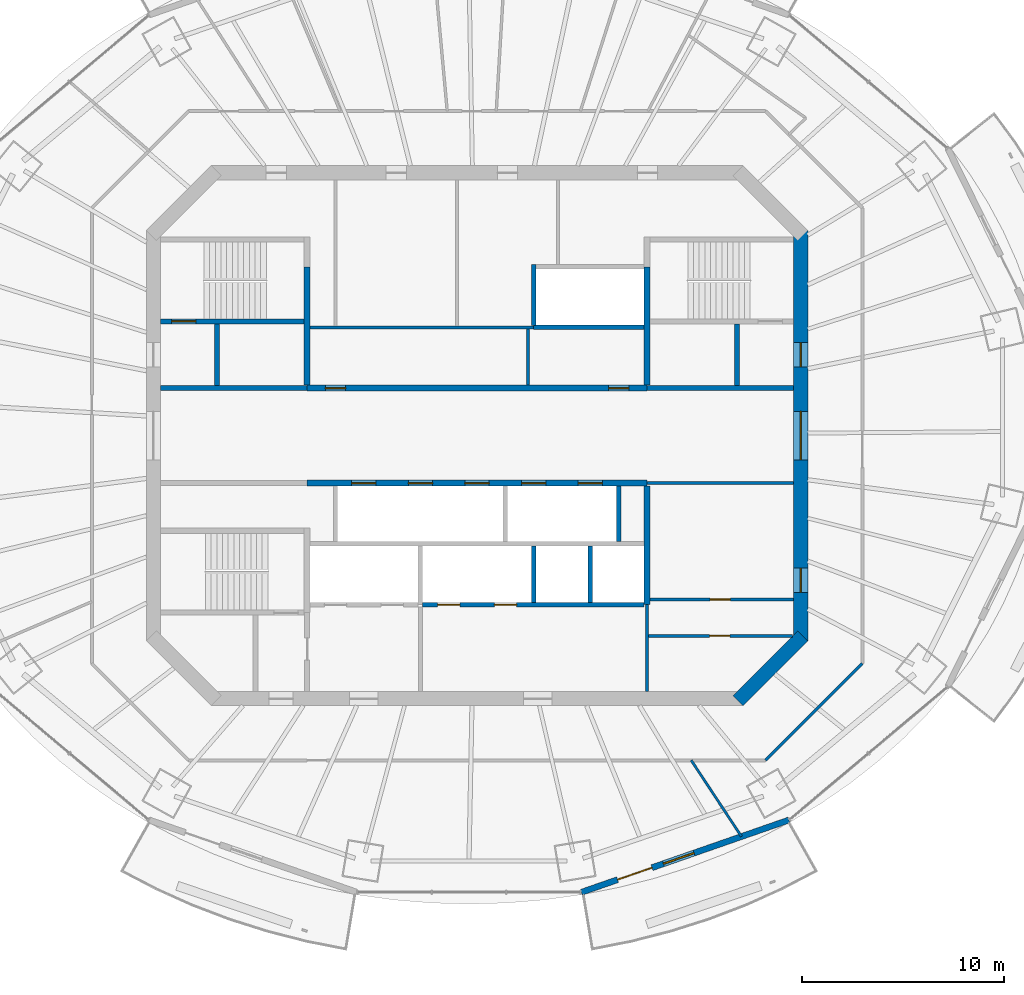
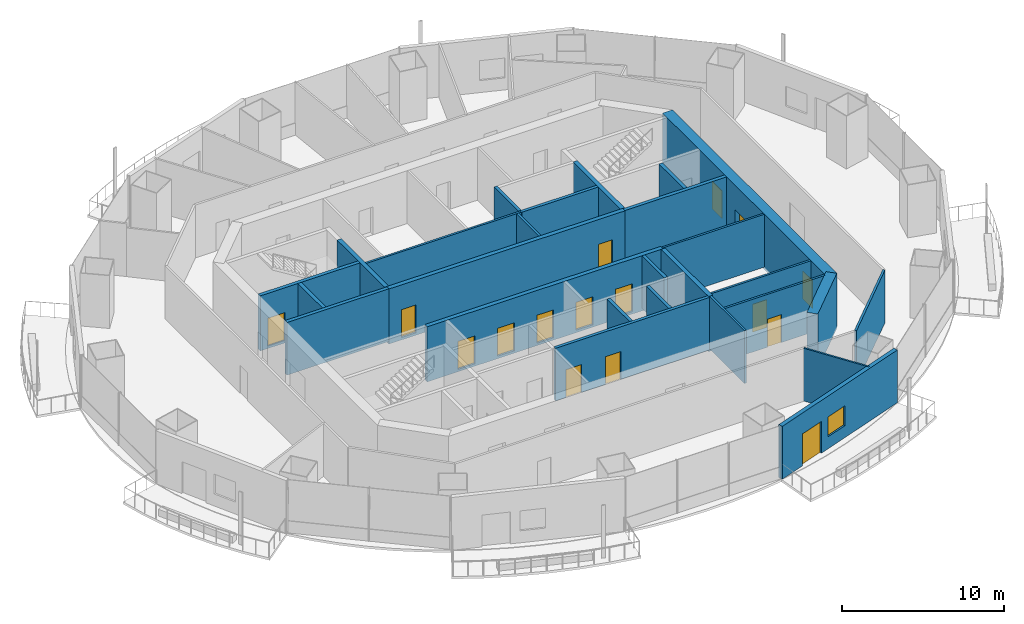
# One storey, part 9 of 16: 27 walls, 16 doors, 1 window, 17 openings.
"""IFC4 building model written with IfcOpenShell, lengths in metres."""

import ifcopenshell
import ifcopenshell.guid

model = None  # the IFC model being written
_history = None  # IfcOwnerHistory: only IFC2X3 demands one
_inside = {}  # id of a spatial element -> (the spatial element, [elements in it])
_under = {}  # id of a project, library or spatial element -> (it, [spatial elements below it])
_declared = {}  # id of a project -> (the project, [libraries it declares])
_typed = {}  # id of a type object -> (the type object, [elements of that type])
_made_of = {}  # id of a material, layer set ... -> (it, [elements and type objects made of it])


def new_model(schema):
    """Start an empty IFC model of exactly this schema.

    Asked for "IFC4X3", IfcOpenShell would pick the latest addendum, in which some entities
    have other attributes; the version numbers below select the first issue.
    IFC2X3 requires an IfcOwnerHistory on every rooted entity: one is made here for all.
    """
    global model, _history
    if schema == "IFC4X3":
        model = ifcopenshell.file(schema_version=(4, 3, 0, 0))
    else:
        model = ifcopenshell.file(schema=schema)
    _inside.clear()
    _under.clear()
    _declared.clear()
    _typed.clear()
    _made_of.clear()
    _history = None
    if model.schema == "IFC2X3":
        org = make("IfcOrganization", Name="unknown")
        user = make(
            "IfcPersonAndOrganization",
            ThePerson=make("IfcPerson", FamilyName="unknown"),
            TheOrganization=org,
        )
        app = make(
            "IfcApplication",
            ApplicationDeveloper=org,
            Version="unknown",
            ApplicationFullName="unknown",
            ApplicationIdentifier="unknown",
        )
        _history = make(
            "IfcOwnerHistory",
            OwningUser=user,
            OwningApplication=app,
            ChangeAction="ADDED",
            CreationDate=0,
        )
    return model


def make(cls, **values):
    """One entity of the class cls with the attributes given. An attribute that is None is left unset."""
    return model.create_entity(
        cls, **{name: value for name, value in values.items() if value is not None}
    )


def rooted(cls, **values):
    """An entity with a GlobalId (a new one), such as an element, a storey or a relation."""
    return make(cls, GlobalId=ifcopenshell.guid.new(), OwnerHistory=_history, **values)


def si_unit(unit_type, name, prefix=None):
    """IfcSIUnit, for example si_unit("LENGTHUNIT", "METRE", prefix="MILLI")."""
    return make("IfcSIUnit", UnitType=unit_type, Prefix=prefix, Name=name)


def assignment(units):
    """IfcUnitAssignment: the units of a project."""
    return None if units is None else make("IfcUnitAssignment", Units=units)


def point(xyz):
    """IfcCartesianPoint."""
    return None if xyz is None else make("IfcCartesianPoint", Coordinates=xyz)


def direction(xyz):
    """IfcDirection."""
    return None if xyz is None else make("IfcDirection", DirectionRatios=xyz)


def frame(location, z_axis=None, x_axis=None):
    """IfcAxis2Placement3D, a coordinate frame: its origin and axes. An axis left out is left unset."""
    return make(
        "IfcAxis2Placement3D",
        Location=point(location),
        Axis=direction(z_axis),
        RefDirection=direction(x_axis),
    )


def frame_2d(location, x_axis=None):
    """IfcAxis2Placement2D, a coordinate frame in the plane: its origin and x axis."""
    return make(
        "IfcAxis2Placement2D", Location=point(location), RefDirection=direction(x_axis)
    )


def origin():
    """The frame at (0, 0, 0) with its axes left unset."""
    return frame((0.0, 0.0, 0.0))


def place(relative_to, where):
    """IfcLocalPlacement: puts the frame where relative to a parent placement (None: the world)."""
    return make(
        "IfcLocalPlacement", PlacementRelTo=relative_to, RelativePlacement=where
    )


def context(
    kind, dimensions, precision=None, world=None, true_north=None, identifier=None
):
    """IfcGeometricRepresentationContext, for example the 3D "Model" context."""
    return make(
        "IfcGeometricRepresentationContext",
        ContextIdentifier=identifier,
        ContextType=kind,
        CoordinateSpaceDimension=dimensions,
        Precision=precision,
        WorldCoordinateSystem=world,
        TrueNorth=true_north,
    )


def subcontext(parent, identifier, kind, view, scale=None):
    """IfcGeometricRepresentationSubContext, for example "Body" below "Model"."""
    return make(
        "IfcGeometricRepresentationSubContext",
        ContextIdentifier=identifier,
        ContextType=kind,
        ParentContext=parent,
        TargetScale=scale,
        TargetView=view,
    )


def project(units=None, contexts=None):
    """IfcProject with its units and contexts."""
    return rooted(
        "IfcProject",
        Name="project",
        RepresentationContexts=contexts,
        UnitsInContext=assignment(units),
    )


def spatial(cls, under=None, at=None, **own):
    """A site, building, storey or space (cls), placed at a placement, below another one or the project."""
    s = rooted(cls, ObjectPlacement=at, **own)
    if under is not None:
        _under.setdefault(under.id(), (under, []))[1].append(s)
    return s


def profile(cls, at=None, kind="AREA", **sizes):
    """A parametric profile (cls). Its sizes go by their IFC names, for example OverallWidth=200.0."""
    return make(cls, ProfileType=kind, Position=at, **sizes)


def rectangle(**sizes):
    """IfcRectangleProfileDef."""
    return profile("IfcRectangleProfileDef", **sizes)


def extrude(swept, where, along, depth):
    """IfcExtrudedAreaSolid: the profile swept, set in the frame where, extruded along a direction by depth."""
    return make(
        "IfcExtrudedAreaSolid",
        SweptArea=swept,
        Position=where,
        ExtrudedDirection=direction(along),
        Depth=depth,
    )


def shape(context_of_items, identifier, shape_type, items):
    """IfcShapeRepresentation: the items that make up one representation, for example the "Body"."""
    return make(
        "IfcShapeRepresentation",
        ContextOfItems=context_of_items,
        RepresentationIdentifier=identifier,
        RepresentationType=shape_type,
        Items=items,
    )


def material(Name=None, Category=None):
    """IfcMaterial."""
    return make("IfcMaterial", Name=Name, Category=Category)


def layer(
    of_material, thickness, ventilated=None, Name=None, Category=None, Priority=None
):
    """IfcMaterialLayer: one layer of a wall or slab, of a material (None: an air gap)."""
    return make(
        "IfcMaterialLayer",
        Material=of_material,
        LayerThickness=thickness,
        IsVentilated=ventilated,
        Name=Name,
        Category=Category,
        Priority=Priority,
    )


def layer_set(layers, Name=None):
    """IfcMaterialLayerSet."""
    return make("IfcMaterialLayerSet", MaterialLayers=layers, LayerSetName=Name)


def made_of(thing, what):
    """Note that an element or type object is made of a material, layer set ...; save() writes the relation."""
    if what is not None:
        _made_of.setdefault(what.id(), (what, []))[1].append(thing)
    return thing


def type_object(cls, material=None, **own):
    """A type object (cls), such as IfcWallType, which elements share."""
    return made_of(rooted(cls, **own), material)


def element(
    cls,
    number,
    at=None,
    inside=None,
    cuts=None,
    type_object=None,
    material=None,
    context=None,
    identifier="Body",
    shape_type=None,
    held_by="IfcProductDefinitionShape",
    body=None,
    shapes=None,
    **own,
):
    """One element of the class cls, such as IfcWall. Its Tag is "e" and its number.

    at: its placement. inside: the storey or other place that contains it. cuts: it is an
    opening in that element (IfcRelVoidsElement). A single representation is given by context,
    identifier, shape_type and body (its items); several are given by shapes. held_by: the class
    of the entity that holds the representations. save() writes the other relations.
    """
    e = rooted(cls, Tag="e%d" % number, ObjectPlacement=at, **own)
    if body is not None:
        shapes = [shape(context, identifier, shape_type, body)]
    if shapes is not None:
        e.Representation = make(held_by, Representations=shapes)
    if inside is not None:
        _inside.setdefault(inside.id(), (inside, []))[1].append(e)
    if cuts is not None:
        rooted(
            "IfcRelVoidsElement", RelatingBuildingElement=cuts, RelatedOpeningElement=e
        )
    if type_object is not None:
        _typed.setdefault(type_object.id(), (type_object, []))[1].append(e)
    return made_of(e, material)


def fill(opening, filler):
    """IfcRelFillsElement: the door or window that sits in an opening."""
    return rooted(
        "IfcRelFillsElement",
        RelatingOpeningElement=opening,
        RelatedBuildingElement=filler,
    )


def aggregate(whole, parts):
    """IfcRelAggregates: a whole, such as a stair, and the parts it consists of."""
    return rooted("IfcRelAggregates", RelatingObject=whole, RelatedObjects=parts)


def save(model, path):
    """Write the relations noted so far, then the file.

    IfcRelAggregates (storeys below a building ...), IfcRelContainedInSpatialStructure (elements
    in a storey), IfcRelDefinesByType, IfcRelAssociatesMaterial and IfcRelDeclares: one each for
    every whole, place, type object, material and project.
    """
    for whole, parts in _under.values():
        aggregate(whole, parts)
    for where, things in _inside.values():
        rooted(
            "IfcRelContainedInSpatialStructure",
            RelatedElements=things,
            RelatingStructure=where,
        )
    for kind, things in _typed.values():
        rooted("IfcRelDefinesByType", RelatedObjects=things, RelatingType=kind)
    for what, things in _made_of.values():
        rooted("IfcRelAssociatesMaterial", RelatedObjects=things, RelatingMaterial=what)
    for by, libraries in _declared.values():
        rooted("IfcRelDeclares", RelatingContext=by, RelatedDefinitions=libraries)
    model.write(path)


model = new_model("IFC4")

# Units and contexts
model_context = context("Model", 3, precision=1e-05, world=origin(), true_north=direction((0.0, 1.0)))
body_context = subcontext(model_context, "Body", "Model", "MODEL_VIEW")
ifc_project = project(units=[si_unit("LENGTHUNIT", "METRE"), si_unit("AREAUNIT", "SQUARE_METRE"), si_unit("VOLUMEUNIT", "CUBIC_METRE"), si_unit("PLANEANGLEUNIT", "RADIAN"), si_unit("MASSUNIT", "GRAM", prefix="KILO")], contexts=[model_context])

# Site, building, storey
site_placement = place(None, origin())
site = spatial("IfcSite", under=ifc_project, at=site_placement, CompositionType="ELEMENT")
building_placement = place(site_placement, origin())
building = spatial("IfcBuilding", under=site, at=building_placement, Name="Marenthal Gate Tower", CompositionType="ELEMENT")
storey_placement = place(building_placement, frame((0.0, 0.0, 296.949951171875)))
storey = spatial("IfcBuildingStorey", under=building, at=storey_placement, Name="L66", CompositionType="ELEMENT", Elevation=296.949951171875)

# Wall
ifc_material_1 = material(Name="Concrete 60 MPa", Category="concrete")
ifc_layer_1 = layer(ifc_material_1, 0.699951171875)
ifc_layer_set_1 = layer_set([ifc_layer_1], Name="Core shear wall 700")
wall_type_1 = type_object("IfcWallType", Name="Core shear wall 700", PredefinedType="SHEAR", material=ifc_layer_set_1)
wall_1_placement = place(storey_placement, frame((12.8974609375, -13.1025390625, -0.179931640625), z_axis=(0.0, 0.0, 1.0), x_axis=(0.707106781187, 0.707106781187, 0.0)))
element("IfcWall", 1, at=wall_1_placement, inside=storey, type_object=wall_type_1, Name="Core wall 01", PredefinedType="SHEAR", context=body_context, shape_type="SweptSolid", body=[
    extrude(rectangle(XDim=4.53271484375, YDim=0.699951171875, at=frame_2d((2.266357421875, 0.0))), origin(), (0.0, 0.0, 1.0), 4.14990234375),
])

# Wall, openings, doors
wall_2_placement = place(storey_placement, frame((16.0, -10.14501953125, -0.179931640625), z_axis=(0.0, 0.0, 1.0), x_axis=(0.0, 1.0, 0.0)))
wall_2 = element("IfcWall", 2, at=wall_2_placement, inside=storey, type_object=wall_type_1, Name="Core wall 02", PredefinedType="SHEAR", context=body_context, shape_type="SweptSolid", body=[
    extrude(rectangle(XDim=20.2900390625, YDim=0.699951171875, at=frame_2d((10.14501953125, 0.0))), origin(), (0.0, 0.0, 1.0), 4.14990234375),
])
opening_1_placement = place(wall_2_placement, frame((8.945068359375, 0.0, 0.179931640625)))
opening_1 = element("IfcOpeningElement", 3, at=opening_1_placement, cuts=wall_2, Name="Opening D003.02", PredefinedType="OPENING", context=body_context, shape_type="SweptSolid", body=[
    extrude(rectangle(XDim=2.39990234375, YDim=2.10009765625, at=frame_2d((1.199951171875, 1.050048828125))), frame((0.0, 0.35986328125, 0.0), z_axis=(0.0, -1.0, 0.0), x_axis=(1.0, 0.0, 0.0)), (0.0, 0.0, 1.0), 0.719970703125),
])
opening_2_placement = place(wall_2_placement, frame((13.544921875, 0.0, 0.179931640625)))
opening_2 = element("IfcOpeningElement", 4, at=opening_2_placement, cuts=wall_2, Name="Opening D001.05", PredefinedType="OPENING", context=body_context, shape_type="SweptSolid", body=[
    extrude(rectangle(XDim=1.199951171875, YDim=2.10009765625, at=frame_2d((0.60009765625, 1.050048828125))), frame((0.0, 0.35986328125, 0.0), z_axis=(0.0, -1.0, 0.0), x_axis=(1.0, 0.0, 0.0)), (0.0, 0.0, 1.0), 0.719970703125),
])
opening_3_placement = place(wall_2_placement, frame((2.39990234375, 0.0, 0.179931640625)))
opening_3 = element("IfcOpeningElement", 5, at=opening_3_placement, cuts=wall_2, Name="Opening D006.01", PredefinedType="OPENING", context=body_context, shape_type="SweptSolid", body=[
    extrude(rectangle(XDim=1.199951171875, YDim=2.10009765625, at=frame_2d((0.60009765625, 1.050048828125))), frame((0.0, 0.35986328125, 0.0), z_axis=(0.0, -1.0, 0.0), x_axis=(1.0, 0.0, 0.0)), (0.0, 0.0, 1.0), 0.719970703125),
])
ifc_material_2 = material(Name="Steel fire door", Category="steel")
door_type_1 = type_object("IfcDoorType", Name="Double fire door FD 45 2400 x 2100", OperationType="DOUBLE_DOOR_SINGLE_SWING", PredefinedType="DOOR", material=ifc_material_2)
door_1_placement = place(opening_1_placement, origin())
door_1 = element("IfcDoor", 6, at=door_1_placement, inside=storey, type_object=door_type_1, Name="Door D003.02", OperationType="DOUBLE_DOOR_SINGLE_SWING", OverallHeight=2.10009765625, OverallWidth=2.39990234375, PredefinedType="DOOR", context=body_context, shape_type="SweptSolid", body=[
    extrude(rectangle(XDim=2.39990234375, YDim=2.10009765625, at=frame_2d((1.199951171875, 1.050048828125))), frame((0.0, 0.02490234375, 0.0), z_axis=(0.0, -1.0, 0.0), x_axis=(1.0, 0.0, 0.0)), (0.0, 0.0, 1.0), 0.050048828125),
])
fill(opening_1, door_1)
ifc_material_3 = material(Name="Steel fire door", Category="steel")
door_type_2 = type_object("IfcDoorType", Name="Fire door FD 45 1200 x 2100", OperationType="NOTDEFINED", PredefinedType="DOOR", material=ifc_material_3)
door_2_placement = place(opening_3_placement, origin())
door_2 = element("IfcDoor", 7, at=door_2_placement, inside=storey, type_object=door_type_2, Name="Door D006.01", OperationType="SINGLE_SWING_RIGHT", OverallHeight=2.10009765625, OverallWidth=1.199951171875, PredefinedType="DOOR", context=body_context, shape_type="SweptSolid", body=[
    extrude(rectangle(XDim=1.199951171875, YDim=2.10009765625, at=frame_2d((0.60009765625, 1.050048828125))), frame((0.0, 0.02490234375, 0.0), z_axis=(0.0, -1.0, 0.0), x_axis=(1.0, 0.0, 0.0)), (0.0, 0.0, 1.0), 0.050048828125),
])
fill(opening_3, door_2)
ifc_material_4 = material(Name="Steel fire door", Category="steel")
door_type_3 = type_object("IfcDoorType", Name="Fire door FD 90 1200 x 2100", OperationType="NOTDEFINED", PredefinedType="DOOR", material=ifc_material_4)
door_3_placement = place(opening_2_placement, origin())
door_3 = element("IfcDoor", 8, at=door_3_placement, inside=storey, type_object=door_type_3, Name="Door D001.05", OperationType="SINGLE_SWING_RIGHT", OverallHeight=2.10009765625, OverallWidth=1.199951171875, PredefinedType="DOOR", context=body_context, shape_type="SweptSolid", body=[
    extrude(rectangle(XDim=1.199951171875, YDim=2.10009765625, at=frame_2d((0.60009765625, 1.050048828125))), frame((0.0, 0.02490234375, 0.0), z_axis=(0.0, -1.0, 0.0), x_axis=(1.0, 0.0, 0.0)), (0.0, 0.0, 1.0), 0.050048828125),
])
fill(opening_2, door_3)

ifc_material_5 = material(Name="Concrete 50 MPa", Category="concrete")
ifc_layer_2 = layer(ifc_material_5, 0.300048828125)
ifc_layer_set_2 = layer_set([ifc_layer_2], Name="Hoistway shear wall 300")
wall_type_2 = type_object("IfcWallType", Name="Hoistway shear wall 300", PredefinedType="SHEAR", material=ifc_layer_set_2)
wall_3_placement = place(storey_placement, frame((-8.39990234375, -2.35009765625, -0.179931640625), z_axis=(0.0, 0.0, 1.0), x_axis=(1.0, 0.0, 0.0)))
wall_3 = element("IfcWall", 9, at=wall_3_placement, inside=storey, type_object=wall_type_2, Name="Hoistway wall 17", PredefinedType="SHEAR", context=body_context, shape_type="SweptSolid", body=[
    extrude(rectangle(XDim=16.7998046875, YDim=0.300048828125, at=frame_2d((8.39990234375, 0.0))), origin(), (0.0, 0.0, 1.0), 4.14990234375),
])
opening_4_placement = place(wall_3_placement, frame((2.199951171875, 0.0, 0.179931640625)))
opening_4 = element("IfcOpeningElement", 10, at=opening_4_placement, cuts=wall_3, Name="Opening LD-HP1", PredefinedType="OPENING", context=body_context, shape_type="SweptSolid", body=[
    extrude(rectangle(XDim=1.199951171875, YDim=2.10009765625, at=frame_2d((0.60009765625, 1.050048828125))), frame((0.0, 0.16015625, 0.0), z_axis=(0.0, -1.0, 0.0), x_axis=(1.0, 0.0, 0.0)), (0.0, 0.0, 1.0), 0.320068359375),
])
opening_5_placement = place(wall_3_placement, frame((5.0, 0.0, 0.179931640625)))
opening_5 = element("IfcOpeningElement", 11, at=opening_5_placement, cuts=wall_3, Name="Opening LD-HP2", PredefinedType="OPENING", context=body_context, shape_type="SweptSolid", body=[
    extrude(rectangle(XDim=1.199951171875, YDim=2.10009765625, at=frame_2d((0.60009765625, 1.050048828125))), frame((0.0, 0.16015625, 0.0), z_axis=(0.0, -1.0, 0.0), x_axis=(1.0, 0.0, 0.0)), (0.0, 0.0, 1.0), 0.320068359375),
])
opening_6_placement = place(wall_3_placement, frame((7.800048828125, 0.0, 0.179931640625)))
opening_6 = element("IfcOpeningElement", 12, at=opening_6_placement, cuts=wall_3, Name="Opening LD-HP3", PredefinedType="OPENING", context=body_context, shape_type="SweptSolid", body=[
    extrude(rectangle(XDim=1.199951171875, YDim=2.10009765625, at=frame_2d((0.60009765625, 1.050048828125))), frame((0.0, 0.16015625, 0.0), z_axis=(0.0, -1.0, 0.0), x_axis=(1.0, 0.0, 0.0)), (0.0, 0.0, 1.0), 0.320068359375),
])
opening_7_placement = place(wall_3_placement, frame((10.60009765625, 0.0, 0.179931640625)))
opening_7 = element("IfcOpeningElement", 13, at=opening_7_placement, cuts=wall_3, Name="Opening LD-HP4", PredefinedType="OPENING", context=body_context, shape_type="SweptSolid", body=[
    extrude(rectangle(XDim=1.199951171875, YDim=2.10009765625, at=frame_2d((0.60009765625, 1.050048828125))), frame((0.0, 0.16015625, 0.0), z_axis=(0.0, -1.0, 0.0), x_axis=(1.0, 0.0, 0.0)), (0.0, 0.0, 1.0), 0.320068359375),
])
opening_8_placement = place(wall_3_placement, frame((13.39990234375, 0.0, 0.179931640625)))
opening_8 = element("IfcOpeningElement", 14, at=opening_8_placement, cuts=wall_3, Name="Opening LD-HP5", PredefinedType="OPENING", context=body_context, shape_type="SweptSolid", body=[
    extrude(rectangle(XDim=1.199951171875, YDim=2.10009765625, at=frame_2d((0.60009765625, 1.050048828125))), frame((0.0, 0.16015625, 0.0), z_axis=(0.0, -1.0, 0.0), x_axis=(1.0, 0.0, 0.0)), (0.0, 0.0, 1.0), 0.320068359375),
])
ifc_material_6 = material(Name="Stainless steel sliding door", Category="steel")
door_type_4 = type_object("IfcDoorType", Name="Lift landing door FD 90 1200 x 2100", OperationType="DOUBLE_DOOR_SLIDING", PredefinedType="DOOR", material=ifc_material_6)
door_4_placement = place(opening_4_placement, origin())
door_4 = element("IfcDoor", 15, at=door_4_placement, inside=storey, type_object=door_type_4, Name="Lift landing door HP1", OperationType="DOUBLE_DOOR_SLIDING", OverallHeight=2.10009765625, OverallWidth=1.199951171875, PredefinedType="DOOR", context=body_context, shape_type="SweptSolid", body=[
    extrude(rectangle(XDim=1.199951171875, YDim=2.10009765625, at=frame_2d((0.60009765625, 1.050048828125))), frame((0.0, 0.02490234375, 0.0), z_axis=(0.0, -1.0, 0.0), x_axis=(1.0, 0.0, 0.0)), (0.0, 0.0, 1.0), 0.050048828125),
])
fill(opening_4, door_4)
door_5_placement = place(opening_5_placement, origin())
door_5 = element("IfcDoor", 16, at=door_5_placement, inside=storey, type_object=door_type_4, Name="Lift landing door HP2", OperationType="DOUBLE_DOOR_SLIDING", OverallHeight=2.10009765625, OverallWidth=1.199951171875, PredefinedType="DOOR", context=body_context, shape_type="SweptSolid", body=[
    extrude(rectangle(XDim=1.199951171875, YDim=2.10009765625, at=frame_2d((0.60009765625, 1.050048828125))), frame((0.0, 0.02490234375, 0.0), z_axis=(0.0, -1.0, 0.0), x_axis=(1.0, 0.0, 0.0)), (0.0, 0.0, 1.0), 0.050048828125),
])
fill(opening_5, door_5)
door_6_placement = place(opening_6_placement, origin())
door_6 = element("IfcDoor", 17, at=door_6_placement, inside=storey, type_object=door_type_4, Name="Lift landing door HP3", OperationType="DOUBLE_DOOR_SLIDING", OverallHeight=2.10009765625, OverallWidth=1.199951171875, PredefinedType="DOOR", context=body_context, shape_type="SweptSolid", body=[
    extrude(rectangle(XDim=1.199951171875, YDim=2.10009765625, at=frame_2d((0.60009765625, 1.050048828125))), frame((0.0, 0.02490234375, 0.0), z_axis=(0.0, -1.0, 0.0), x_axis=(1.0, 0.0, 0.0)), (0.0, 0.0, 1.0), 0.050048828125),
])
fill(opening_6, door_6)
door_7_placement = place(opening_7_placement, origin())
door_7 = element("IfcDoor", 18, at=door_7_placement, inside=storey, type_object=door_type_4, Name="Lift landing door HP4", OperationType="DOUBLE_DOOR_SLIDING", OverallHeight=2.10009765625, OverallWidth=1.199951171875, PredefinedType="DOOR", context=body_context, shape_type="SweptSolid", body=[
    extrude(rectangle(XDim=1.199951171875, YDim=2.10009765625, at=frame_2d((0.60009765625, 1.050048828125))), frame((0.0, 0.02490234375, 0.0), z_axis=(0.0, -1.0, 0.0), x_axis=(1.0, 0.0, 0.0)), (0.0, 0.0, 1.0), 0.050048828125),
])
fill(opening_7, door_7)
door_8_placement = place(opening_8_placement, origin())
door_8 = element("IfcDoor", 19, at=door_8_placement, inside=storey, type_object=door_type_4, Name="Lift landing door HP5", OperationType="DOUBLE_DOOR_SLIDING", OverallHeight=2.10009765625, OverallWidth=1.199951171875, PredefinedType="DOOR", context=body_context, shape_type="SweptSolid", body=[
    extrude(rectangle(XDim=1.199951171875, YDim=2.10009765625, at=frame_2d((0.60009765625, 1.050048828125))), frame((0.0, 0.02490234375, 0.0), z_axis=(0.0, -1.0, 0.0), x_axis=(1.0, 0.0, 0.0)), (0.0, 0.0, 1.0), 0.050048828125),
])
fill(opening_8, door_8)

wall_4_placement = place(storey_placement, frame((-8.39990234375, 2.35009765625, -0.179931640625), z_axis=(0.0, 0.0, 1.0), x_axis=(1.0, 0.0, 0.0)))
wall_4 = element("IfcWall", 20, at=wall_4_placement, inside=storey, type_object=wall_type_2, Name="Hoistway wall 20", PredefinedType="SHEAR", context=body_context, shape_type="SweptSolid", body=[
    extrude(rectangle(XDim=16.7998046875, YDim=0.300048828125, at=frame_2d((8.39990234375, 0.0))), origin(), (0.0, 0.0, 1.0), 4.14990234375),
])
opening_9_placement = place(wall_4_placement, frame((0.89990234375, 0.0, 0.179931640625)))
opening_9 = element("IfcOpeningElement", 21, at=opening_9_placement, cuts=wall_4, Name="Opening D005.01", PredefinedType="OPENING", context=body_context, shape_type="SweptSolid", body=[
    extrude(rectangle(XDim=1.0, YDim=2.10009765625, at=frame_2d((0.5, 1.050048828125))), frame((0.0, 0.16015625, 0.0), z_axis=(0.0, -1.0, 0.0), x_axis=(1.0, 0.0, 0.0)), (0.0, 0.0, 1.0), 0.320068359375),
])
opening_10_placement = place(wall_4_placement, frame((14.89990234375, 0.0, 0.179931640625)))
opening_10 = element("IfcOpeningElement", 22, at=opening_10_placement, cuts=wall_4, Name="Opening D005.02", PredefinedType="OPENING", context=body_context, shape_type="SweptSolid", body=[
    extrude(rectangle(XDim=1.0, YDim=2.10009765625, at=frame_2d((0.5, 1.050048828125))), frame((0.0, 0.16015625, 0.0), z_axis=(0.0, -1.0, 0.0), x_axis=(1.0, 0.0, 0.0)), (0.0, 0.0, 1.0), 0.320068359375),
])
ifc_material_7 = material(Name="Steel fire door", Category="steel")
door_type_5 = type_object("IfcDoorType", Name="Fire door FD 45 1000 x 2100", OperationType="NOTDEFINED", PredefinedType="DOOR", material=ifc_material_7)
door_9_placement = place(opening_9_placement, origin())
door_9 = element("IfcDoor", 23, at=door_9_placement, inside=storey, type_object=door_type_5, Name="Door D005.01", OperationType="SINGLE_SWING_RIGHT", OverallHeight=2.10009765625, OverallWidth=1.0, PredefinedType="DOOR", context=body_context, shape_type="SweptSolid", body=[
    extrude(rectangle(XDim=1.0, YDim=2.10009765625, at=frame_2d((0.5, 1.050048828125))), frame((0.0, 0.02490234375, 0.0), z_axis=(0.0, -1.0, 0.0), x_axis=(1.0, 0.0, 0.0)), (0.0, 0.0, 1.0), 0.050048828125),
])
fill(opening_9, door_9)
door_10_placement = place(opening_10_placement, origin())
door_10 = element("IfcDoor", 24, at=door_10_placement, inside=storey, type_object=door_type_5, Name="Door D005.02", OperationType="SINGLE_SWING_RIGHT", OverallHeight=2.10009765625, OverallWidth=1.0, PredefinedType="DOOR", context=body_context, shape_type="SweptSolid", body=[
    extrude(rectangle(XDim=1.0, YDim=2.10009765625, at=frame_2d((0.5, 1.050048828125))), frame((0.0, 0.02490234375, 0.0), z_axis=(0.0, -1.0, 0.0), x_axis=(1.0, 0.0, 0.0)), (0.0, 0.0, 1.0), 0.050048828125),
])
fill(opening_10, door_10)

# Walls
for number, where, z_axis, x_axis, name in (
    (25, (-8.39990234375, 2.5, -0.179931640625), (0.0, 0.0, 1.0), (0.0, 1.0, 0.0), "Hoistway wall 33"),
    (26, (8.39990234375, -8.35009765625, -0.179931640625), (0.0, 0.0, 1.0), (0.0, 1.0, 0.0), "Hoistway wall 48"),
    (27, (8.39990234375, 2.5, -0.179931640625), (0.0, 0.0, 1.0), (0.0, 1.0, 0.0), "Hoistway wall 49"),
):
    element("IfcWall", number, at=place(storey_placement, frame(where, z_axis=z_axis, x_axis=x_axis)), inside=storey, type_object=wall_type_2, Name=name, PredefinedType="SHEAR", context=body_context, shape_type="SweptSolid", body=[
        extrude(rectangle(XDim=5.85009765625, YDim=0.300048828125, at=frame_2d((2.925048828125, 0.0))), origin(), (0.0, 0.0, 1.0), 4.14990234375),
    ])

# Wall, openings, doors
ifc_material_8 = material(Name="Concrete 40 MPa", Category="concrete")
ifc_layer_3 = layer(ifc_material_8, 0.219970703125)
ifc_layer_set_3 = layer_set([ifc_layer_3], Name="Hoistway wall 220")
wall_type_3 = type_object("IfcWallType", Name="Hoistway wall 220", PredefinedType="STANDARD", material=ifc_layer_set_3)
wall_5_placement = place(storey_placement, frame((-2.68994140625, -8.35009765625, 0.0), z_axis=(0.0, 0.0, 1.0), x_axis=(1.0, 0.0, 0.0)))
wall_5 = element("IfcWall", 28, at=wall_5_placement, inside=storey, type_object=wall_type_3, Name="Hoistway wall 12", PredefinedType="STANDARD", context=body_context, shape_type="SweptSolid", body=[
    extrude(rectangle(XDim=10.93994140625, YDim=0.219970703125, at=frame_2d((5.469970703125, 0.0))), origin(), (0.0, 0.0, 1.0), 3.969970703125),
])
opening_11_placement = place(wall_5_placement, frame((0.739990234375, 0.0, 0.0)))
opening_11 = element("IfcOpeningElement", 29, at=opening_11_placement, cuts=wall_5, Name="Opening LD-SV1", PredefinedType="OPENING", context=body_context, shape_type="SweptSolid", body=[
    extrude(rectangle(XDim=1.10009765625, YDim=2.10009765625, at=frame_2d((0.550048828125, 1.050048828125))), frame((0.0, 0.1201171875, 0.0), z_axis=(0.0, -1.0, 0.0), x_axis=(1.0, 0.0, 0.0)), (0.0, 0.0, 1.0), 0.239990234375),
])
opening_12_placement = place(wall_5_placement, frame((3.5400390625, 0.0, 0.0)))
opening_12 = element("IfcOpeningElement", 30, at=opening_12_placement, cuts=wall_5, Name="Opening LD-SV2", PredefinedType="OPENING", context=body_context, shape_type="SweptSolid", body=[
    extrude(rectangle(XDim=1.10009765625, YDim=2.10009765625, at=frame_2d((0.550048828125, 1.050048828125))), frame((0.0, 0.1201171875, 0.0), z_axis=(0.0, -1.0, 0.0), x_axis=(1.0, 0.0, 0.0)), (0.0, 0.0, 1.0), 0.239990234375),
])
ifc_material_9 = material(Name="Stainless steel sliding door", Category="steel")
door_type_6 = type_object("IfcDoorType", Name="Lift landing door FD 90 1100 x 2100", OperationType="DOUBLE_DOOR_SLIDING", PredefinedType="DOOR", material=ifc_material_9)
door_11_placement = place(opening_11_placement, origin())
door_11 = element("IfcDoor", 31, at=door_11_placement, inside=storey, type_object=door_type_6, Name="Lift landing door SV1", OperationType="DOUBLE_DOOR_SLIDING", OverallHeight=2.10009765625, OverallWidth=1.10009765625, PredefinedType="DOOR", context=body_context, shape_type="SweptSolid", body=[
    extrude(rectangle(XDim=1.10009765625, YDim=2.10009765625, at=frame_2d((0.550048828125, 1.050048828125))), frame((0.0, 0.02490234375, 0.0), z_axis=(0.0, -1.0, 0.0), x_axis=(1.0, 0.0, 0.0)), (0.0, 0.0, 1.0), 0.050048828125),
])
fill(opening_11, door_11)
door_12_placement = place(opening_12_placement, origin())
door_12 = element("IfcDoor", 32, at=door_12_placement, inside=storey, type_object=door_type_6, Name="Lift landing door SV2", OperationType="DOUBLE_DOOR_SLIDING", OverallHeight=2.10009765625, OverallWidth=1.10009765625, PredefinedType="DOOR", context=body_context, shape_type="SweptSolid", body=[
    extrude(rectangle(XDim=1.10009765625, YDim=2.10009765625, at=frame_2d((0.550048828125, 1.050048828125))), frame((0.0, 0.02490234375, 0.0), z_axis=(0.0, -1.0, 0.0), x_axis=(1.0, 0.0, 0.0)), (0.0, 0.0, 1.0), 0.050048828125),
])
fill(opening_12, door_12)

# Walls
wall_6_placement = place(storey_placement, frame((2.800048828125, 5.35009765625, 0.0), z_axis=(0.0, 0.0, 1.0), x_axis=(1.0, 0.0, 0.0)))
element("IfcWall", 33, at=wall_6_placement, inside=storey, type_object=wall_type_3, Name="Hoistway wall 23", PredefinedType="STANDARD", context=body_context, shape_type="SweptSolid", body=[
    extrude(rectangle(XDim=5.449951171875, YDim=0.219970703125, at=frame_2d((2.72509765625, 0.0))), origin(), (0.0, 0.0, 1.0), 3.969970703125),
])
wall_7_placement = place(storey_placement, frame((2.800048828125, -8.239990234375, 0.0), z_axis=(0.0, 0.0, 1.0), x_axis=(0.0, 1.0, 0.0)))
element("IfcWall", 34, at=wall_7_placement, inside=storey, type_object=wall_type_3, Name="Hoistway wall 42", PredefinedType="STANDARD", context=body_context, shape_type="SweptSolid", body=[
    extrude(rectangle(XDim=2.780029296875, YDim=0.219970703125, at=frame_2d((1.39013671875, 0.0))), origin(), (0.0, 0.0, 1.0), 3.969970703125),
])
wall_8_placement = place(storey_placement, frame((2.800048828125, 5.4599609375, 0.0), z_axis=(0.0, 0.0, 1.0), x_axis=(0.0, 1.0, 0.0)))
element("IfcWall", 35, at=wall_8_placement, inside=storey, type_object=wall_type_3, Name="Hoistway wall 43", PredefinedType="STANDARD", context=body_context, shape_type="SweptSolid", body=[
    extrude(rectangle(XDim=3.0, YDim=0.219970703125, at=frame_2d((1.5, 0.0))), origin(), (0.0, 0.0, 1.0), 3.969970703125),
])
wall_9_placement = place(storey_placement, frame((5.60009765625, -8.239990234375, 0.0), z_axis=(0.0, 0.0, 1.0), x_axis=(0.0, 1.0, 0.0)))
element("IfcWall", 36, at=wall_9_placement, inside=storey, type_object=wall_type_3, Name="Hoistway wall 45", PredefinedType="STANDARD", context=body_context, shape_type="SweptSolid", body=[
    extrude(rectangle(XDim=2.780029296875, YDim=0.219970703125, at=frame_2d((1.39013671875, 0.0))), origin(), (0.0, 0.0, 1.0), 3.969970703125),
])
wall_10_placement = place(storey_placement, frame((7.0, -5.239990234375, 0.0), z_axis=(0.0, 0.0, 1.0), x_axis=(0.0, 1.0, 0.0)))
element("IfcWall", 37, at=wall_10_placement, inside=storey, type_object=wall_type_3, Name="Hoistway wall 46", PredefinedType="STANDARD", context=body_context, shape_type="SweptSolid", body=[
    extrude(rectangle(XDim=2.739990234375, YDim=0.219970703125, at=frame_2d((1.3701171875, 0.0))), origin(), (0.0, 0.0, 1.0), 3.969970703125),
])
ifc_material_10 = material(Name="Gypsum board on steel studs", Category="steel")
ifc_layer_4 = layer(ifc_material_10, 0.1201171875)
ifc_layer_set_4 = layer_set([ifc_layer_4], Name="Partition 120")
wall_type_4 = type_object("IfcWallType", Name="Partition 120", PredefinedType="PARTITIONING", material=ifc_layer_set_4)
wall_11_placement = place(storey_placement, frame((10.586669921875, -16.050048828125, 0.0), z_axis=(0.0, 0.0, 1.0), x_axis=(0.550627599646, -0.83475100869, 0.0)))
element("IfcWall", 38, at=wall_11_placement, inside=storey, type_object=wall_type_4, Name="Partition wall 64", PredefinedType="PARTITIONING", context=body_context, shape_type="SweptSolid", body=[
    extrude(rectangle(XDim=4.517333984375, YDim=0.1201171875, at=frame_2d((2.2587890625, 0.0))), origin(), (0.0, 0.0, 1.0), 3.969970703125),
])

# Wall, opening, door
ifc_material_11 = material(Name="Gypsum board on steel studs", Category="steel")
ifc_layer_5 = layer(ifc_material_11, 0.14990234375)
ifc_layer_set_5 = layer_set([ifc_layer_5], Name="Partition 150")
wall_type_5 = type_object("IfcWallType", Name="Partition 150", PredefinedType="PARTITIONING", material=ifc_layer_set_5)
wall_12_placement = place(storey_placement, frame((8.47509765625, -9.89990234375, 0.0), z_axis=(0.0, 0.0, 1.0), x_axis=(1.0, 0.0, 0.0)))
wall_12 = element("IfcWall", 39, at=wall_12_placement, inside=storey, type_object=wall_type_5, Name="Partition wall 09", PredefinedType="PARTITIONING", context=body_context, shape_type="SweptSolid", body=[
    extrude(rectangle(XDim=7.1298828125, YDim=0.14990234375, at=frame_2d((3.56494140625, 0.0))), origin(), (0.0, 0.0, 1.0), 3.969970703125),
])
opening_13_placement = place(wall_12_placement, frame((3.027587890625, 0.0, 0.0)))
opening_13 = element("IfcOpeningElement", 40, at=opening_13_placement, cuts=wall_12, Name="Opening D005.08", PredefinedType="OPENING", context=body_context, shape_type="SweptSolid", body=[
    extrude(rectangle(XDim=1.0, YDim=2.10009765625, at=frame_2d((0.5, 1.050048828125))), frame((0.0, 0.0849609375, 0.0), z_axis=(0.0, -1.0, 0.0), x_axis=(1.0, 0.0, 0.0)), (0.0, 0.0, 1.0), 0.169921875),
])
door_13_placement = place(opening_13_placement, frame((1.0, 0.0, 0.0), z_axis=(0.0, 0.0, 1.0), x_axis=(-1.0, 0.0, 0.0)))
door_13 = element("IfcDoor", 41, at=door_13_placement, inside=storey, type_object=door_type_5, Name="Door D005.08", OperationType="SINGLE_SWING_LEFT", OverallHeight=2.10009765625, OverallWidth=1.0, PredefinedType="DOOR", context=body_context, shape_type="SweptSolid", body=[
    extrude(rectangle(XDim=1.0, YDim=2.10009765625, at=frame_2d((0.5, 1.050048828125))), frame((0.0, 0.02490234375, 0.0), z_axis=(0.0, -1.0, 0.0), x_axis=(1.0, 0.0, 0.0)), (0.0, 0.0, 1.0), 0.050048828125),
])
fill(opening_13, door_13)

wall_13_placement = place(storey_placement, frame((8.550048828125, -8.10009765625, 0.0), z_axis=(0.0, 0.0, 1.0), x_axis=(1.0, 0.0, 0.0)))
wall_13 = element("IfcWall", 42, at=wall_13_placement, inside=storey, type_object=wall_type_5, Name="Partition wall 13", PredefinedType="PARTITIONING", context=body_context, shape_type="SweptSolid", body=[
    extrude(rectangle(XDim=7.099853515625, YDim=0.14990234375, at=frame_2d((3.5498046875, 0.0))), origin(), (0.0, 0.0, 1.0), 3.969970703125),
])
opening_14_placement = place(wall_13_placement, frame((2.97509765625, 0.0, 0.0)))
opening_14 = element("IfcOpeningElement", 43, at=opening_14_placement, cuts=wall_13, Name="Opening D005.07", PredefinedType="OPENING", context=body_context, shape_type="SweptSolid", body=[
    extrude(rectangle(XDim=1.0, YDim=2.10009765625, at=frame_2d((0.5, 1.050048828125))), frame((0.0, 0.0849609375, 0.0), z_axis=(0.0, -1.0, 0.0), x_axis=(1.0, 0.0, 0.0)), (0.0, 0.0, 1.0), 0.169921875),
])
door_14_placement = place(opening_14_placement, origin())
door_14 = element("IfcDoor", 44, at=door_14_placement, inside=storey, type_object=door_type_5, Name="Door D005.07", OperationType="SINGLE_SWING_RIGHT", OverallHeight=2.10009765625, OverallWidth=1.0, PredefinedType="DOOR", context=body_context, shape_type="SweptSolid", body=[
    extrude(rectangle(XDim=1.0, YDim=2.10009765625, at=frame_2d((0.5, 1.050048828125))), frame((0.0, 0.02490234375, 0.0), z_axis=(0.0, -1.0, 0.0), x_axis=(1.0, 0.0, 0.0)), (0.0, 0.0, 1.0), 0.050048828125),
])
fill(opening_14, door_14)

# Walls
wall_14_placement = place(storey_placement, frame((8.39990234375, -2.35009765625, 0.0), z_axis=(0.0, 0.0, 1.0), x_axis=(1.0, 0.0, 0.0)))
element("IfcWall", 45, at=wall_14_placement, inside=storey, type_object=wall_type_5, Name="Partition wall 18", PredefinedType="PARTITIONING", context=body_context, shape_type="SweptSolid", body=[
    extrude(rectangle(XDim=7.25, YDim=0.14990234375, at=frame_2d((3.625, 0.0))), origin(), (0.0, 0.0, 1.0), 3.969970703125),
])
wall_15_placement = place(storey_placement, frame((-8.25, 5.35009765625, 0.0), z_axis=(0.0, 0.0, 1.0), x_axis=(1.0, 0.0, 0.0)))
element("IfcWall", 46, at=wall_15_placement, inside=storey, type_object=wall_type_5, Name="Partition wall 22", PredefinedType="PARTITIONING", context=body_context, shape_type="SweptSolid", body=[
    extrude(rectangle(XDim=11.050048828125, YDim=0.14990234375, at=frame_2d((5.52490234375, 0.0))), origin(), (0.0, 0.0, 1.0), 3.969970703125),
])
wall_16_placement = place(storey_placement, frame((2.52001953125, 2.5, 0.0), z_axis=(0.0, 0.0, 1.0), x_axis=(0.0, 1.0, 0.0)))
element("IfcWall", 47, at=wall_16_placement, inside=storey, type_object=wall_type_5, Name="Partition wall 41", PredefinedType="PARTITIONING", context=body_context, shape_type="SweptSolid", body=[
    extrude(rectangle(XDim=2.77490234375, YDim=0.14990234375, at=frame_2d((1.387451171875, 0.0))), origin(), (0.0, 0.0, 1.0), 3.969970703125),
])
wall_17_placement = place(storey_placement, frame((8.39990234375, -12.64990234375, 0.0), z_axis=(0.0, 0.0, 1.0), x_axis=(0.0, 1.0, 0.0)))
element("IfcWall", 48, at=wall_17_placement, inside=storey, type_object=wall_type_5, Name="Partition wall 47", PredefinedType="PARTITIONING", context=body_context, shape_type="SweptSolid", body=[
    extrude(rectangle(XDim=4.2998046875, YDim=0.14990234375, at=frame_2d((2.14990234375, 0.0))), origin(), (0.0, 0.0, 1.0), 3.969970703125),
])
wall_18_placement = place(storey_placement, frame((19.050048828125, -11.263427734375, 0.0), z_axis=(0.0, 0.0, 1.0), x_axis=(-0.707106781187, -0.707106781187, 0.0)))
element("IfcWall", 49, at=wall_18_placement, inside=storey, type_object=wall_type_5, Name="Partition wall 69", PredefinedType="PARTITIONING", context=body_context, shape_type="SweptSolid", body=[
    extrude(rectangle(XDim=6.769287109375, YDim=0.14990234375, at=frame_2d((3.384765625, 0.0))), origin(), (0.0, 0.0, 1.0), 3.969970703125),
])
ifc_material_12 = material(Name="Concrete 40 MPa", Category="concrete")
ifc_layer_6 = layer(ifc_material_12, 0.25)
ifc_layer_set_6 = layer_set([ifc_layer_6], Name="Stair enclosure wall 250")
wall_type_6 = type_object("IfcWallType", Name="Stair enclosure wall 250", PredefinedType="STANDARD", material=ifc_layer_set_6)
for number, where, z_axis, x_axis, name in (
    (50, (-15.64990234375, 2.35009765625, 0.0), (0.0, 0.0, 1.0), (1.0, 0.0, 0.0), "Stair wall 19"),
    (51, (8.39990234375, 2.35009765625, 0.0), (0.0, 0.0, 1.0), (1.0, 0.0, 0.0), "Stair wall 21"),
):
    element("IfcWall", number, at=place(storey_placement, frame(where, z_axis=z_axis, x_axis=x_axis)), inside=storey, type_object=wall_type_6, Name=name, PredefinedType="STANDARD", context=body_context, shape_type="SweptSolid", body=[
        extrude(rectangle(XDim=7.25, YDim=0.25, at=frame_2d((3.625, 0.0))), origin(), (0.0, 0.0, 1.0), 3.969970703125),
    ])
for number, where, z_axis, x_axis, name in (
    (52, (-12.85009765625, 2.47509765625, 0.0), (0.0, 0.0, 1.0), (0.0, 1.0, 0.0), "Stair wall 29"),
    (53, (12.85009765625, 2.47509765625, 0.0), (0.0, 0.0, 1.0), (0.0, 1.0, 0.0), "Stair wall 51"),
):
    element("IfcWall", number, at=place(storey_placement, frame(where, z_axis=z_axis, x_axis=x_axis)), inside=storey, type_object=wall_type_6, Name=name, PredefinedType="STANDARD", context=body_context, shape_type="SweptSolid", body=[
        extrude(rectangle(XDim=3.0498046875, YDim=0.25, at=frame_2d((1.52490234375, 0.0))), origin(), (0.0, 0.0, 1.0), 3.969970703125),
    ])

# Wall, opening, door
ifc_material_13 = material(Name="Concrete 50 MPa", Category="concrete")
ifc_layer_7 = layer(ifc_material_13, 0.25)
ifc_layer_set_7 = layer_set([ifc_layer_7], Name="Stair shear wall 250")
wall_type_7 = type_object("IfcWallType", Name="Stair shear wall 250", PredefinedType="SHEAR", material=ifc_layer_set_7)
wall_19_placement = place(storey_placement, frame((-15.64990234375, 5.64990234375, -0.179931640625), z_axis=(0.0, 0.0, 1.0), x_axis=(1.0, 0.0, 0.0)))
wall_19 = element("IfcWall", 54, at=wall_19_placement, inside=storey, type_object=wall_type_7, Name="Stair wall 24", PredefinedType="SHEAR", context=body_context, shape_type="SweptSolid", body=[
    extrude(rectangle(XDim=7.099853515625, YDim=0.25, at=frame_2d((3.5498046875, 0.0))), origin(), (0.0, 0.0, 1.0), 4.14990234375),
])
opening_15_placement = place(wall_19_placement, frame((0.550048828125, 0.0, 0.179931640625)))
opening_15 = element("IfcOpeningElement", 55, at=opening_15_placement, cuts=wall_19, Name="Opening D001.01", PredefinedType="OPENING", context=body_context, shape_type="SweptSolid", body=[
    extrude(rectangle(XDim=1.199951171875, YDim=2.10009765625, at=frame_2d((0.60009765625, 1.050048828125))), frame((0.0, 0.135009765625, 0.0), z_axis=(0.0, -1.0, 0.0), x_axis=(1.0, 0.0, 0.0)), (0.0, 0.0, 1.0), 0.27001953125),
])
door_15_placement = place(opening_15_placement, origin())
door_15 = element("IfcDoor", 56, at=door_15_placement, inside=storey, type_object=door_type_3, Name="Door D001.01", OperationType="SINGLE_SWING_RIGHT", OverallHeight=2.10009765625, OverallWidth=1.199951171875, PredefinedType="DOOR", context=body_context, shape_type="SweptSolid", body=[
    extrude(rectangle(XDim=1.199951171875, YDim=2.10009765625, at=frame_2d((0.60009765625, 1.050048828125))), frame((0.0, 0.02490234375, 0.0), z_axis=(0.0, -1.0, 0.0), x_axis=(1.0, 0.0, 0.0)), (0.0, 0.0, 1.0), 0.050048828125),
])
fill(opening_15, door_15)

# Wall, openings, door, window
ifc_material_14 = material(Name="Terracotta cladding on insulated concrete-block backing", Category="masonry")
ifc_layer_8 = layer(ifc_material_14, 0.300048828125)
ifc_layer_set_8 = layer_set([ifc_layer_8], Name="Terracotta facade wall 300")
wall_type_8 = type_object("IfcWallType", Name="Terracotta facade wall 300", PredefinedType="SOLIDWALL", material=ifc_layer_set_8)
wall_20_placement = place(storey_placement, frame((5.155517578125, -22.577880859375, 0.0), z_axis=(0.0, 0.0, 1.0), x_axis=(0.944387657449, 0.32883423249, 0.0)))
wall_20 = element("IfcWall", 57, at=wall_20_placement, inside=storey, type_object=wall_type_8, Name="Terracotta facade wall L66 bay 13", PredefinedType="SOLIDWALL", context=body_context, shape_type="SweptSolid", body=[
    extrude(rectangle(XDim=10.869384765625, YDim=0.300048828125, at=frame_2d((5.4345703125, 0.0))), origin(), (0.0, 0.0, 1.0), 3.969970703125),
])
opening_16_placement = place(wall_20_placement, frame((1.89990234375, 0.0, 0.0)))
opening_16 = element("IfcOpeningElement", 58, at=opening_16_placement, cuts=wall_20, Name="Opening BD-L66-13", PredefinedType="OPENING", context=body_context, shape_type="SweptSolid", body=[
    extrude(rectangle(XDim=1.800048828125, YDim=2.39990234375, at=frame_2d((0.89990234375, 1.199951171875))), frame((0.0, 0.16015625, 0.0), z_axis=(0.0, -1.0, 0.0), x_axis=(1.0, 0.0, 0.0)), (0.0, 0.0, 1.0), 0.320068359375),
])
opening_17_placement = place(wall_20_placement, frame((4.300048828125, 0.0, 0.89990234375)))
opening_17 = element("IfcOpeningElement", 59, at=opening_17_placement, cuts=wall_20, Name="Opening WN3-L66-13", PredefinedType="OPENING", context=body_context, shape_type="SweptSolid", body=[
    extrude(rectangle(XDim=1.60009765625, YDim=1.5, at=frame_2d((0.800048828125, 0.75))), frame((0.0, 0.16015625, 0.0), z_axis=(0.0, -1.0, 0.0), x_axis=(1.0, 0.0, 0.0)), (0.0, 0.0, 1.0), 0.320068359375),
])
ifc_material_15 = material(Name="Aluminium and glass", Category="aluminium")
door_type_7 = type_object("IfcDoorType", Name="Balcony door 1800x2400", OperationType="DOUBLE_DOOR_SINGLE_SWING", PredefinedType="DOOR", material=ifc_material_15)
door_16_placement = place(opening_16_placement, origin())
door_16 = element("IfcDoor", 60, at=door_16_placement, inside=storey, type_object=door_type_7, Name="Balcony door L66 bay 13", OperationType="SINGLE_SWING_LEFT", OverallHeight=2.39990234375, OverallWidth=1.800048828125, PredefinedType="DOOR", context=body_context, shape_type="SweptSolid", body=[
    extrude(rectangle(XDim=1.800048828125, YDim=2.39990234375, at=frame_2d((0.89990234375, 1.199951171875))), frame((0.0, 0.02490234375, 0.0), z_axis=(0.0, -1.0, 0.0), x_axis=(1.0, 0.0, 0.0)), (0.0, 0.0, 1.0), 0.050048828125),
])
fill(opening_16, door_16)
ifc_material_16 = material(Name="Aluminium and glass", Category="aluminium")
window_type = type_object("IfcWindowType", Name="Window 1600x1500", PartitioningType="DOUBLE_PANEL_VERTICAL", PredefinedType="WINDOW", material=ifc_material_16)
window_placement = place(opening_17_placement, origin())
window = element("IfcWindow", 61, at=window_placement, inside=storey, type_object=window_type, Name="Window L66 bay 13", OverallHeight=1.5, OverallWidth=1.60009765625, PartitioningType="SINGLE_PANEL", PredefinedType="WINDOW", context=body_context, shape_type="SweptSolid", body=[
    extrude(rectangle(XDim=1.60009765625, YDim=1.5, at=frame_2d((0.800048828125, 0.75))), frame((0.0, 0.030029296875, 0.0), z_axis=(0.0, -1.0, 0.0), x_axis=(1.0, 0.0, 0.0)), (0.0, 0.0, 1.0), 0.06005859375),
])
fill(opening_17, window)

save(model, "model.ifc")
